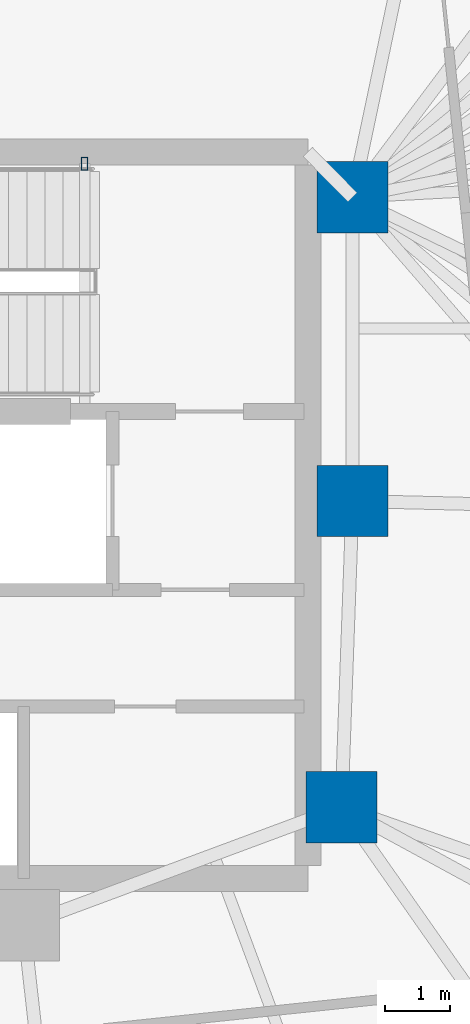
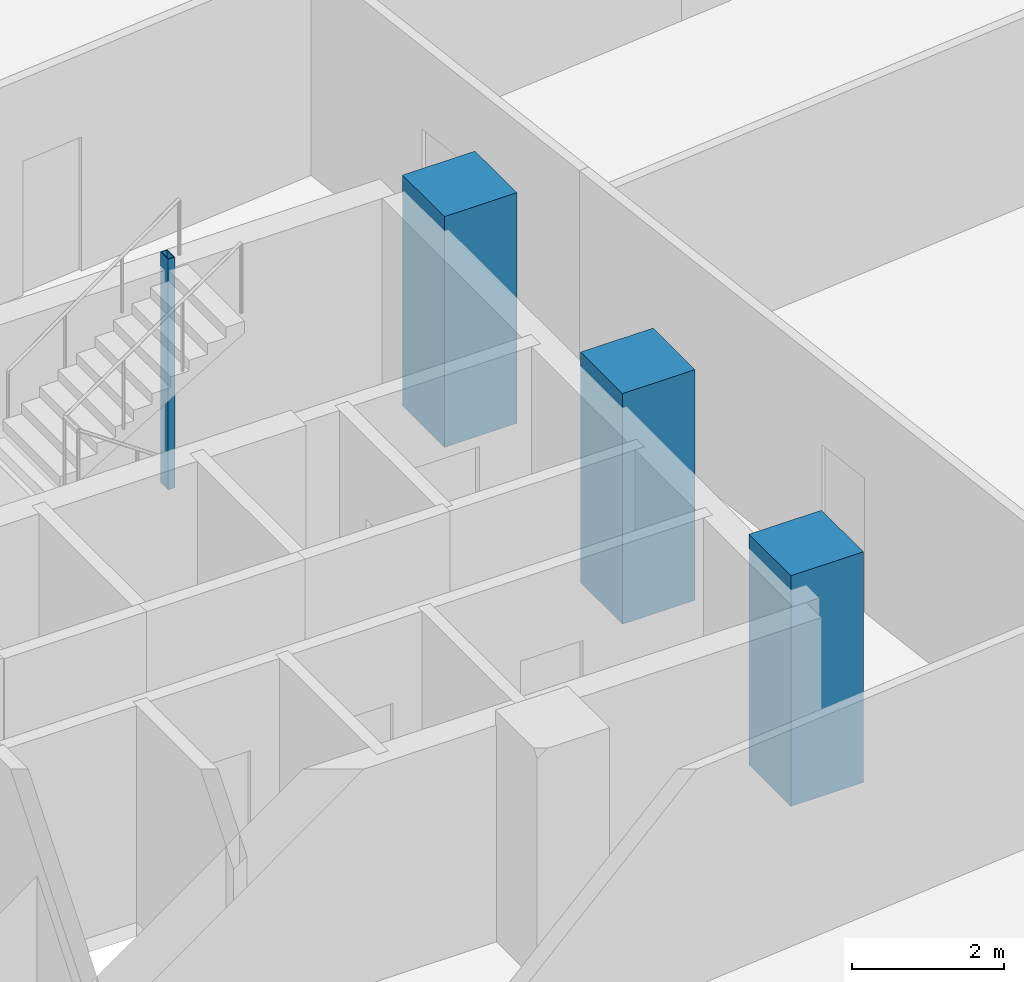
# One storey, part 4 of 18: 4 columns.
"""IFC4 building model written with IfcOpenShell, lengths in metres."""

from ifc_helpers import new_model, si_unit, direction, frame, origin, origin_2d, place, context, subcontext, project, spatial, rectangle, hollow_rectangle, extrude, material, material_profile, profile_set, type_object, element, save


model = new_model("IFC4")

# Units and contexts
model_context = context("Model", 3, precision=1e-05, world=origin(), true_north=direction((0.0, 1.0)))
body_context = subcontext(model_context, "Body", "Model", "MODEL_VIEW")
ifc_project = project(units=[si_unit("LENGTHUNIT", "METRE"), si_unit("AREAUNIT", "SQUARE_METRE"), si_unit("VOLUMEUNIT", "CUBIC_METRE"), si_unit("PLANEANGLEUNIT", "RADIAN"), si_unit("MASSUNIT", "GRAM", prefix="KILO")], contexts=[model_context])

# Site, building, storey
site_placement = place(None, origin())
site = spatial("IfcSite", under=ifc_project, at=site_placement, CompositionType="ELEMENT")
building_placement = place(site_placement, origin())
building = spatial("IfcBuilding", under=site, at=building_placement, Name="Menara Jurai Vektor", CompositionType="ELEMENT")
storey_placement = place(building_placement, frame((0.0, 0.0, 94.800048828125)))
storey = spatial("IfcBuildingStorey", under=building, at=storey_placement, Name="L23", CompositionType="ELEMENT", Elevation=94.800048828125)

# Columns
ifc_material_1 = material(Name="Concrete C50/60", Category="concrete")
ifc_material_profile_1 = material_profile(ifc_material_1, rectangle(XDim=1.10009765625, YDim=1.10009765625, at=origin_2d()), Name="RC 1100x1100")
ifc_profile_set_1 = profile_set([ifc_material_profile_1], Name="Concrete C50/60")
column_type_1 = type_object("IfcColumnType", Name="STR-COL-RC1100", PredefinedType="COLUMN", material=ifc_profile_set_1)
for number, where, z_axis, x_axis, name in (
    (1, (15.25, 4.89990234375, 0.0), (0.0, 0.0, 1.0), (1.0, 0.0, 0.0), "Core Spine Column CE-NE L23"),
    (2, (15.25, 0.219970703125, 0.0), (0.0, 0.0, 1.0), (1.0, 0.0, 0.0), "Core Spine Column CE-EM L23"),
    (3, (15.080078125, -4.5, 0.0), (0.0, 0.0, 1.0), (1.0, 0.0, 0.0), "Core Spine Column CE-SE L23"),
):
    element("IfcColumn", number, at=place(storey_placement, frame(where, z_axis=z_axis, x_axis=x_axis)), inside=storey, type_object=column_type_1, Name=name, PredefinedType="COLUMN", context=body_context, shape_type="SweptSolid", body=[
        extrude(rectangle(XDim=1.10009765625, YDim=1.10009765625, at=origin_2d()), origin(), (0.0, 0.0, 1.0), 3.699951171875),
    ])
ifc_material_2 = material(Name="Steel S355", Category="steel")
ifc_material_profile_2 = material_profile(ifc_material_2, hollow_rectangle(XDim=0.10009765625, YDim=0.199951171875, WallThickness=0.008056640625, at=origin_2d()), Name="RHS 200x100x8")
ifc_profile_set_2 = profile_set([ifc_material_profile_2], Name="Steel S355")
column_type_2 = type_object("IfcColumnType", Name="STR-COL-STAIR", PredefinedType="COLUMN", material=ifc_profile_set_2)
column_placement = place(storey_placement, frame((11.1201171875, 5.419921875, 0.0), z_axis=(0.0, 0.0, 1.0), x_axis=(1.0, 0.0, 0.0)))
element("IfcColumn", 4, at=column_placement, inside=storey, type_object=column_type_2, Name="Stair Well Header Column ST2-P2 L23", PredefinedType="COLUMN", context=body_context, shape_type="SweptSolid", body=[
    extrude(hollow_rectangle(XDim=0.10009765625, YDim=0.199951171875, WallThickness=0.008056640625, at=origin_2d()), origin(), (0.0, 0.0, 1.0), 3.699951171875),
])

save(model, "model.ifc")
